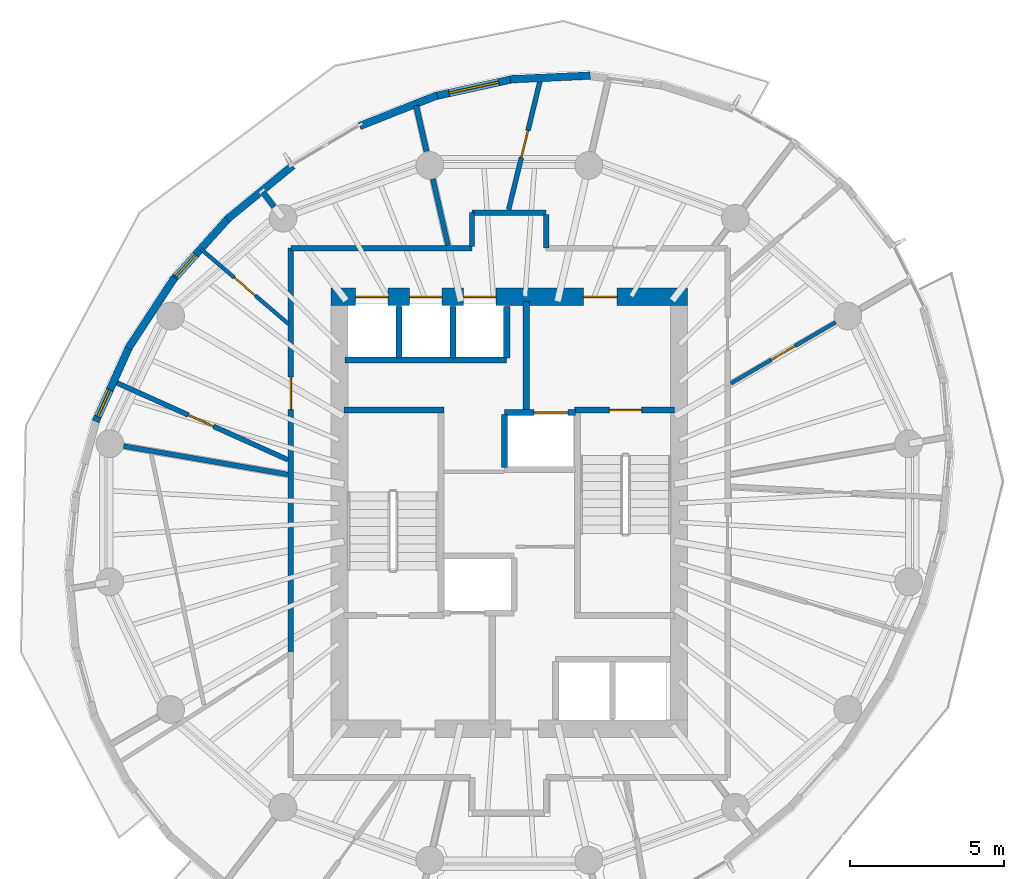
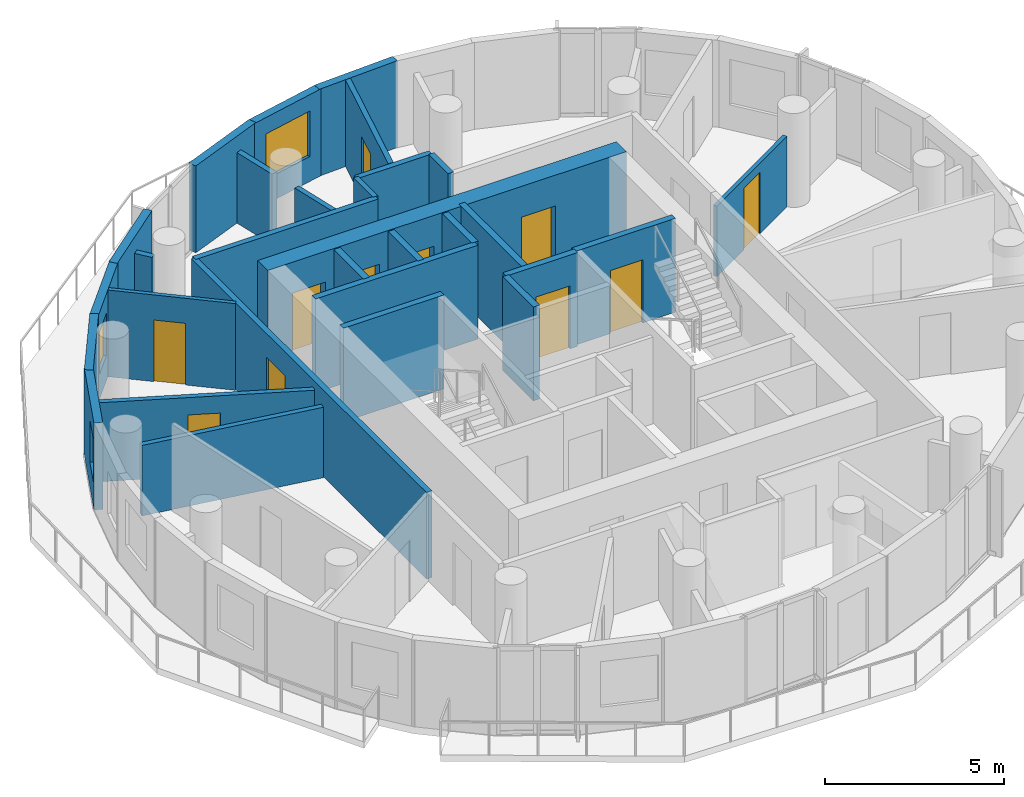
# One storey, part 6 of 10: 30 walls, 11 doors, 3 windows, 14 openings.
"""IFC4 building model written with IfcOpenShell, lengths in metres."""

from ifc_helpers import new_model, si_unit, direction, frame, frame_2d, origin, place, context, subcontext, project, spatial, rectangle, extrude, material, layer, layer_set, type_object, element, fill, save


model = new_model("IFC4")

# Units and contexts
model_context = context("Model", 3, precision=1e-05, world=origin(), true_north=direction((0.0, 1.0)))
body_context = subcontext(model_context, "Body", "Model", "MODEL_VIEW")
ifc_project = project(units=[si_unit("LENGTHUNIT", "METRE"), si_unit("AREAUNIT", "SQUARE_METRE"), si_unit("VOLUMEUNIT", "CUBIC_METRE"), si_unit("PLANEANGLEUNIT", "RADIAN"), si_unit("MASSUNIT", "GRAM", prefix="KILO")], contexts=[model_context])

# Site, building, storey
site_placement = place(None, origin())
site = spatial("IfcSite", under=ifc_project, at=site_placement, CompositionType="ELEMENT")
building_placement = place(site_placement, origin())
building = spatial("IfcBuilding", under=site, at=building_placement, Name="Veldorim Arch Residences", CompositionType="ELEMENT")
storey_placement = place(building_placement, frame((0.0, 0.0, 179.0400390625)))
storey = spatial("IfcBuildingStorey", under=building, at=storey_placement, Name="L53", CompositionType="ELEMENT", Elevation=179.0400390625)

# Wall, opening, door
ifc_material_1 = material(Name="Acoustic Gypsum Board", Category="gypsum")
ifc_layer_1 = layer(ifc_material_1, 0.125, Name="Acoustic Stud Room Partition Wall 125")
ifc_layer_set_1 = layer_set([ifc_layer_1], Name="Acoustic Gypsum Board")
wall_type_1 = type_object("IfcWallType", Name="Acoustic Stud Room Partition Wall 125", PredefinedType="PARTITIONING", material=ifc_layer_set_1)
wall_1_placement = place(storey_placement, frame((42.57958984375, 30.1748046875, 0.0), z_axis=(0.0, 0.0, 1.0), x_axis=(-0.863675291667, -0.504048599407, 0.0)))
wall_1 = element("IfcWall", 1, at=wall_1_placement, inside=storey, type_object=wall_type_1, Name="L53 interior wall WL-RES-L53-023", PredefinedType="PARTITIONING", context=body_context, shape_type="SweptSolid", body=[
    extrude(rectangle(XDim=3.93212890625, YDim=0.125, at=frame_2d((1.966064453125, 0.0))), origin(), (0.0, 0.0, 1.0), 2.4033203125),
])
opening_1_placement = place(wall_1_placement, frame((1.51611328125, 0.0, 0.0)))
opening_1 = element("IfcOpeningElement", 2, at=opening_1_placement, cuts=wall_1, Name="Opening DR-INT", PredefinedType="OPENING", context=body_context, shape_type="SweptSolid", body=[
    extrude(rectangle(XDim=0.89990234375, YDim=2.10009765625, at=frame_2d((0.449951171875, 1.050048828125))), frame((0.0, 0.072509765625, 0.0), z_axis=(0.0, -1.0, 0.0), x_axis=(1.0, 0.0, 0.0)), (0.0, 0.0, 1.0), 0.14501953125),
])
ifc_material_2 = material(Name="Engineered Timber", Category="wood")
door_type_1 = type_object("IfcDoorType", Name="Apartment Internal Room Timber Door 900x2100", OperationType="SINGLE_SWING_LEFT", PredefinedType="DOOR", material=ifc_material_2)
door_1_placement = place(opening_1_placement, origin())
door_1 = element("IfcDoor", 3, at=door_1_placement, inside=storey, type_object=door_type_1, Name="L53 interior door DR-RES-L53-008", OperationType="SINGLE_SWING_RIGHT", OverallHeight=2.10009765625, OverallWidth=0.89990234375, PredefinedType="DOOR", context=body_context, shape_type="SweptSolid", body=[
    extrude(rectangle(XDim=0.89990234375, YDim=2.10009765625, at=frame_2d((0.449951171875, 1.050048828125))), frame((0.0, 0.02490234375, 0.0), z_axis=(0.0, -1.0, 0.0), x_axis=(1.0, 0.0, 0.0)), (0.0, 0.0, 1.0), 0.050048828125),
])
fill(opening_1, door_1)

wall_2_placement = place(storey_placement, frame((22.011962890625, 32.546630859375, 0.0), z_axis=(0.0, 0.0, 1.0), x_axis=(0.759801913408, -0.650154637284, 0.0)))
wall_2 = element("IfcWall", 4, at=wall_2_placement, inside=storey, type_object=wall_type_1, Name="L53 interior wall WL-RES-L53-028", PredefinedType="PARTITIONING", context=body_context, shape_type="SweptSolid", body=[
    extrude(rectangle(XDim=3.727294921875, YDim=0.125, at=frame_2d((1.86376953125, 0.0))), origin(), (0.0, 0.0, 1.0), 2.955078125),
])
opening_2_placement = place(wall_2_placement, frame((1.413818359375, 0.0, 0.0)))
opening_2 = element("IfcOpeningElement", 5, at=opening_2_placement, cuts=wall_2, Name="Opening DR-INT", PredefinedType="OPENING", context=body_context, shape_type="SweptSolid", body=[
    extrude(rectangle(XDim=0.89990234375, YDim=2.10009765625, at=frame_2d((0.449951171875, 1.050048828125))), frame((0.0, 0.072509765625, 0.0), z_axis=(0.0, -1.0, 0.0), x_axis=(1.0, 0.0, 0.0)), (0.0, 0.0, 1.0), 0.14501953125),
])
door_2_placement = place(opening_2_placement, origin())
door_2 = element("IfcDoor", 6, at=door_2_placement, inside=storey, type_object=door_type_1, Name="L53 interior door DR-RES-L53-013", OperationType="SINGLE_SWING_LEFT", OverallHeight=2.10009765625, OverallWidth=0.89990234375, PredefinedType="DOOR", context=body_context, shape_type="SweptSolid", body=[
    extrude(rectangle(XDim=0.89990234375, YDim=2.10009765625, at=frame_2d((0.449951171875, 1.050048828125))), frame((0.0, 0.02490234375, 0.0), z_axis=(0.0, -1.0, 0.0), x_axis=(1.0, 0.0, 0.0)), (0.0, 0.0, 1.0), 0.050048828125),
])
fill(opening_2, door_2)

# Walls
ifc_material_3 = material(Name="Lightweight Masonry Block & Gypsum", Category="masonry")
ifc_layer_2 = layer(ifc_material_3, 0.179931640625, Name="Compartment & Corridor Fire-Rated Party Wall 180")
ifc_layer_set_2 = layer_set([ifc_layer_2], Name="Lightweight Masonry Block & Gypsum")
wall_type_2 = type_object("IfcWallType", Name="Compartment & Corridor Fire-Rated Party Wall 180", PredefinedType="PARTITIONING", material=ifc_layer_set_2)
wall_3_placement = place(storey_placement, frame((29.320068359375, 35.717529296875, 0.0), z_axis=(0.0, 0.0, 1.0), x_axis=(-0.222976920769, 0.974823723965, 0.0)))
element("IfcWall", 7, at=wall_3_placement, inside=storey, type_object=wall_type_2, Name="L53 interior wall WL-PIER-L53-05", PredefinedType="PARTITIONING", context=body_context, shape_type="SweptSolid", body=[
    extrude(rectangle(XDim=1.525146484375, YDim=0.179931640625, at=frame_2d((0.7626953125, 0.0))), origin(), (0.0, 0.0, 1.0), 2.4033203125),
])
wall_4_placement = place(storey_placement, frame((24.380126953125, 33.91796875, 0.0), z_axis=(0.0, 0.0, 1.0), x_axis=(-0.609062571598, 0.793122174623, 0.0)))
element("IfcWall", 8, at=wall_4_placement, inside=storey, type_object=wall_type_2, Name="L53 interior wall WL-PIER-L53-06", PredefinedType="PARTITIONING", context=body_context, shape_type="SweptSolid", body=[
    extrude(rectangle(XDim=0.600830078125, YDim=0.179931640625, at=frame_2d((0.30029296875, 0.0))), origin(), (0.0, 0.0, 1.0), 2.4033203125),
])
wall_5_placement = place(storey_placement, frame((30.800048828125, 33.72998046875, 0.0), z_axis=(0.0, 0.0, 1.0), x_axis=(1.0, 0.0, 0.0)))
element("IfcWall", 9, at=wall_5_placement, inside=storey, type_object=wall_type_2, Name="L53 interior wall WL-RES-L53-009", PredefinedType="PARTITIONING", context=body_context, shape_type="SweptSolid", body=[
    extrude(rectangle(XDim=2.39990234375, YDim=0.179931640625, at=frame_2d((1.199951171875, 0.0))), origin(), (0.0, 0.0, 1.0), 2.955078125),
])
wall_6_placement = place(storey_placement, frame((33.199951171875, 33.669921875, 0.0), z_axis=(0.0, 0.0, 1.0), x_axis=(0.0, -1.0, 0.0)))
element("IfcWall", 10, at=wall_6_placement, inside=storey, type_object=wall_type_2, Name="L53 interior wall WL-RES-L53-010", PredefinedType="PARTITIONING", context=body_context, shape_type="SweptSolid", body=[
    extrude(rectangle(XDim=1.08984375, YDim=0.179931640625, at=frame_2d((0.544921875, 0.0))), origin(), (0.0, 0.0, 1.0), 2.955078125),
])
wall_7_placement = place(storey_placement, frame((24.919921875, 32.580078125, 0.0), z_axis=(0.0, 0.0, 1.0), x_axis=(1.0, 0.0, 0.0)))
element("IfcWall", 11, at=wall_7_placement, inside=storey, type_object=wall_type_2, Name="L53 interior wall WL-RES-L53-011", PredefinedType="PARTITIONING", context=body_context, shape_type="SweptSolid", body=[
    extrude(rectangle(XDim=5.880126953125, YDim=0.179931640625, at=frame_2d((2.93994140625, 0.0))), origin(), (0.0, 0.0, 1.0), 2.955078125),
])

# Wall, opening, door
wall_8_placement = place(storey_placement, frame((24.919921875, 19.44921875, 0.0), z_axis=(0.0, 0.0, 1.0), x_axis=(0.0, 1.0, 0.0)))
wall_8 = element("IfcWall", 12, at=wall_8_placement, inside=storey, type_object=wall_type_2, Name="L53 interior wall WL-RES-L53-013", PredefinedType="PARTITIONING", context=body_context, shape_type="SweptSolid", body=[
    extrude(rectangle(XDim=13.130859375, YDim=0.179931640625, at=frame_2d((6.5654296875, 0.0))), origin(), (0.0, 0.0, 1.0), 2.955078125),
])
opening_3_placement = place(wall_8_placement, frame((7.896728515625, 0.0, 0.0)))
opening_3 = element("IfcOpeningElement", 13, at=opening_3_placement, cuts=wall_8, Name="Opening DR-FLT", PredefinedType="OPENING", context=body_context, shape_type="SweptSolid", body=[
    extrude(rectangle(XDim=1.050048828125, YDim=2.14990234375, at=frame_2d((0.52490234375, 1.074951171875))), frame((0.0, 0.099853515625, 0.0), z_axis=(0.0, -1.0, 0.0), x_axis=(1.0, 0.0, 0.0)), (0.0, 0.0, 1.0), 0.199951171875),
])
ifc_material_4 = material(Name="Fire-Rated Timber", Category="wood")
door_type_2 = type_object("IfcDoorType", Name="Apartment Entrance Solid-Core Fire Door 1050x2150", OperationType="SINGLE_SWING_LEFT", PredefinedType="DOOR", material=ifc_material_4)
door_3_placement = place(opening_3_placement, origin())
door_3 = element("IfcDoor", 14, at=door_3_placement, inside=storey, type_object=door_type_2, Name="L53 interior door DR-RES-L53-011", OperationType="SINGLE_SWING_LEFT", OverallHeight=2.14990234375, OverallWidth=1.050048828125, PredefinedType="DOOR", context=body_context, shape_type="SweptSolid", body=[
    extrude(rectangle(XDim=1.050048828125, YDim=2.14990234375, at=frame_2d((0.52490234375, 1.074951171875))), frame((0.0, 0.02490234375, 0.0), z_axis=(0.0, -1.0, 0.0), x_axis=(1.0, 0.0, 0.0)), (0.0, 0.0, 1.0), 0.050048828125),
])
fill(opening_3, door_3)

# Wall
ifc_material_5 = material(Name="Concrete C50/60", Category="concrete")
ifc_layer_3 = layer(ifc_material_5, 0.199951171875, Name="Core Stair & Lift Shaft Enclosure Wall 200")
ifc_layer_set_3 = layer_set([ifc_layer_3], Name="Concrete C50/60")
wall_type_3 = type_object("IfcWallType", Name="Core Stair & Lift Shaft Enclosure Wall 200", PredefinedType="SHEAR", material=ifc_layer_set_3)
wall_9_placement = place(storey_placement, frame((26.64990234375, 27.330078125, 0.0), z_axis=(0.0, 0.0, 1.0), x_axis=(1.0, 0.0, 0.0)))
element("IfcWall", 15, at=wall_9_placement, inside=storey, type_object=wall_type_3, Name="L53 shaft wall WL-SHF-L53-ST1-N", PredefinedType="SHEAR", context=body_context, shape_type="SweptSolid", body=[
    extrude(rectangle(XDim=3.239990234375, YDim=0.199951171875, at=frame_2d((1.6201171875, 0.0))), origin(), (0.0, 0.0, 1.0), 3.199951171875),
])

# Wall, opening, door
wall_10_placement = place(storey_placement, frame((34.110107421875, 27.330078125, 0.0), z_axis=(0.0, 0.0, 1.0), x_axis=(1.0, 0.0, 0.0)))
wall_10 = element("IfcWall", 16, at=wall_10_placement, inside=storey, type_object=wall_type_3, Name="L53 shaft wall WL-SHF-L53-ST2-N", PredefinedType="SHEAR", context=body_context, shape_type="SweptSolid", body=[
    extrude(rectangle(XDim=3.239990234375, YDim=0.199951171875, at=frame_2d((1.6201171875, 0.0))), origin(), (0.0, 0.0, 1.0), 3.199951171875),
])
opening_4_placement = place(wall_10_placement, frame((1.135009765625, 0.0, 0.0)))
opening_4 = element("IfcOpeningElement", 17, at=opening_4_placement, cuts=wall_10, Name="Opening DR-ST", PredefinedType="OPENING", context=body_context, shape_type="SweptSolid", body=[
    extrude(rectangle(XDim=1.050048828125, YDim=2.14990234375, at=frame_2d((0.52490234375, 1.074951171875))), frame((0.0, 0.10986328125, 0.0), z_axis=(0.0, -1.0, 0.0), x_axis=(1.0, 0.0, 0.0)), (0.0, 0.0, 1.0), 0.219970703125),
])
ifc_material_6 = material(Name="Fire-Rated Steel", Category="steel")
door_type_3 = type_object("IfcDoorType", Name="Exit Staircase Self-Closing Fire Door 1050x2150", OperationType="SINGLE_SWING_LEFT", PredefinedType="DOOR", material=ifc_material_6)
door_4_placement = place(opening_4_placement, origin())
door_4 = element("IfcDoor", 18, at=door_4_placement, inside=storey, type_object=door_type_3, Name="L53 interior door DR-L53-ST2", OperationType="SINGLE_SWING_RIGHT", OverallHeight=2.14990234375, OverallWidth=1.050048828125, PredefinedType="DOOR", context=body_context, shape_type="SweptSolid", body=[
    extrude(rectangle(XDim=1.050048828125, YDim=2.14990234375, at=frame_2d((0.52490234375, 1.074951171875))), frame((0.0, 0.02490234375, 0.0), z_axis=(0.0, -1.0, 0.0), x_axis=(1.0, 0.0, 0.0)), (0.0, 0.0, 1.0), 0.050048828125),
])
fill(opening_4, door_4)

# Wall
wall_11_placement = place(storey_placement, frame((32.550048828125, 27.35009765625, 0.0), z_axis=(0.0, 0.0, 1.0), x_axis=(0.0, 1.0, 0.0)))
element("IfcWall", 19, at=wall_11_placement, inside=storey, type_object=wall_type_3, Name="L53 shaft wall WL-FFL2-L53-W", PredefinedType="SHEAR", context=body_context, shape_type="SweptSolid", body=[
    extrude(rectangle(XDim=3.5, YDim=0.199951171875, at=frame_2d((1.75, 0.0))), origin(), (0.0, 0.0, 1.0), 3.199951171875),
])

# Wall, opening, door
wall_12_placement = place(storey_placement, frame((31.85009765625, 27.25, 0.0), z_axis=(0.0, 0.0, 1.0), x_axis=(1.0, 0.0, 0.0)))
wall_12 = element("IfcWall", 20, at=wall_12_placement, inside=storey, type_object=wall_type_3, Name="L53 shaft wall WL-FL02-L53-N", PredefinedType="SHEAR", context=body_context, shape_type="SweptSolid", body=[
    extrude(rectangle(XDim=2.2998046875, YDim=0.199951171875, at=frame_2d((1.14990234375, 0.0))), origin(), (0.0, 0.0, 1.0), 3.199951171875),
])
opening_5_placement = place(wall_12_placement, frame((0.949951171875, 0.0, 0.0)))
opening_5 = element("IfcOpeningElement", 21, at=opening_5_placement, cuts=wall_12, Name="Opening LD-FF", PredefinedType="OPENING", context=body_context, shape_type="SweptSolid", body=[
    extrude(rectangle(XDim=1.10009765625, YDim=2.14990234375, at=frame_2d((0.550048828125, 1.074951171875))), frame((0.0, 0.10986328125, 0.0), z_axis=(0.0, -1.0, 0.0), x_axis=(1.0, 0.0, 0.0)), (0.0, 0.0, 1.0), 0.219970703125),
])
ifc_material_7 = material(Name="Stainless Steel", Category="steel")
door_type_4 = type_object("IfcDoorType", Name="Firefighting Lift Bi-Parting Sliding Landing Door 1100x2150", OperationType="DOUBLE_DOOR_SLIDING", PredefinedType="DOOR", material=ifc_material_7)
door_5_placement = place(opening_5_placement, origin())
door_5 = element("IfcDoor", 22, at=door_5_placement, inside=storey, type_object=door_type_4, Name="L53 lift landing door LD-L53-FL02", OperationType="DOUBLE_DOOR_SLIDING", OverallHeight=2.14990234375, OverallWidth=1.10009765625, PredefinedType="DOOR", context=body_context, shape_type="SweptSolid", body=[
    extrude(rectangle(XDim=1.10009765625, YDim=2.14990234375, at=frame_2d((0.550048828125, 1.074951171875))), frame((0.0, 0.02490234375, 0.0), z_axis=(0.0, -1.0, 0.0), x_axis=(1.0, 0.0, 0.0)), (0.0, 0.0, 1.0), 0.050048828125),
])
fill(opening_5, door_5)

# Walls
wall_13_placement = place(storey_placement, frame((31.85009765625, 25.469970703125, 0.0), z_axis=(0.0, 0.0, 1.0), x_axis=(0.0, 1.0, 0.0)))
element("IfcWall", 23, at=wall_13_placement, inside=storey, type_object=wall_type_3, Name="L53 shaft wall WL-FL02-L53-W", PredefinedType="SHEAR", context=body_context, shape_type="SweptSolid", body=[
    extrude(rectangle(XDim=1.7099609375, YDim=0.199951171875, at=frame_2d((0.85498046875, 0.0))), origin(), (0.0, 0.0, 1.0), 3.199951171875),
])
wall_14_placement = place(storey_placement, frame((26.679931640625, 28.949951171875, 0.0), z_axis=(0.0, 0.0, 1.0), x_axis=(1.0, 0.0, 0.0)))
element("IfcWall", 24, at=wall_14_placement, inside=storey, type_object=wall_type_3, Name="L53 shaft wall WL-B3-L53-S", PredefinedType="SHEAR", context=body_context, shape_type="SweptSolid", body=[
    extrude(rectangle(XDim=5.239990234375, YDim=0.199951171875, at=frame_2d((2.6201171875, 0.0))), origin(), (0.0, 0.0, 1.0), 3.199951171875),
])
for number, where, z_axis, x_axis, name in (
    (25, (31.919921875, 29.02001953125, 0.0), (0.0, 0.0, 1.0), (0.0, 1.0, 0.0), "L53 shaft wall WL-B3-L53-E"),
    (26, (28.425048828125, 29.02001953125, 0.0), (0.0, 0.0, 1.0), (0.0, 1.0, 0.0), "L53 shaft wall WL-B3-L53-D1"),
    (27, (30.175048828125, 29.02001953125, 0.0), (0.0, 0.0, 1.0), (0.0, 1.0, 0.0), "L53 shaft wall WL-B3-L53-D2"),
):
    element("IfcWall", number, at=place(storey_placement, frame(where, z_axis=z_axis, x_axis=x_axis)), inside=storey, type_object=wall_type_3, Name=name, PredefinedType="SHEAR", context=body_context, shape_type="SweptSolid", body=[
        extrude(rectangle(XDim=1.659912109375, YDim=0.199951171875, at=frame_2d((0.830078125, 0.0))), origin(), (0.0, 0.0, 1.0), 3.199951171875),
    ])
ifc_material_8 = material(Name="Precast concrete C40/50", Category="concrete")
ifc_layer_4 = layer(ifc_material_8, 0.25, Name="Tower Terracotta Spandrel & Pier Wall 250")
ifc_layer_set_4 = layer_set([ifc_layer_4], Name="Precast concrete C40/50")
wall_type_4 = type_object("IfcWallType", Name="Tower Terracotta Spandrel & Pier Wall 250", PredefinedType="SOLIDWALL", material=ifc_layer_set_4)
wall_15_placement = place(storey_placement, frame((32.03564453125, 38.053466796875, 0.0), z_axis=(0.0, 0.0, 1.0), x_axis=(0.998912652492, 0.046620946915, 0.0)))
element("IfcWall", 28, at=wall_15_placement, inside=storey, type_object=wall_type_4, Name="L53 terracotta facade wall 05", PredefinedType="SOLIDWALL", context=body_context, shape_type="SweptSolid", body=[
    extrude(rectangle(XDim=2.59228515625, YDim=0.25, at=frame_2d((1.296142578125, 0.0))), origin(), (0.0, 0.0, 1.0), 2.9599609375),
])

# Wall, opening, window
wall_16_placement = place(storey_placement, frame((29.555908203125, 37.501220703125, 0.0), z_axis=(0.0, 0.0, 1.0), x_axis=(0.976886196324, 0.213760051067, 0.0)))
wall_16 = element("IfcWall", 29, at=wall_16_placement, inside=storey, type_object=wall_type_4, Name="L53 terracotta facade wall 06", PredefinedType="SOLIDWALL", context=body_context, shape_type="SweptSolid", body=[
    extrude(rectangle(XDim=2.65087890625, YDim=0.25, at=frame_2d((1.325439453125, 0.0))), origin(), (0.0, 0.0, 1.0), 2.9599609375),
])
opening_6_placement = place(wall_16_placement, frame((0.5009765625, 0.0, 0.85009765625)))
opening_6 = element("IfcOpeningElement", 30, at=opening_6_placement, cuts=wall_16, Name="Opening WN-03", PredefinedType="OPENING", context=body_context, shape_type="SweptSolid", body=[
    extrude(rectangle(XDim=1.64990234375, YDim=1.550048828125, at=frame_2d((0.824951171875, 0.77490234375))), frame((0.0, 0.135009765625, 0.0), z_axis=(0.0, -1.0, 0.0), x_axis=(1.0, 0.0, 0.0)), (0.0, 0.0, 1.0), 0.27001953125),
])
ifc_material_9 = material(Name="Laminated Low-E Glass", Category="glass")
window_type_1 = type_object("IfcWindowType", Name="Residential Wide Window 1650x1550", PartitioningType="SINGLE_PANEL", PredefinedType="WINDOW", material=ifc_material_9)
window_1_placement = place(opening_6_placement, origin())
window_1 = element("IfcWindow", 31, at=window_1_placement, inside=storey, type_object=window_type_1, Name="L53 solar-control facade window 06", OverallHeight=1.550048828125, OverallWidth=1.64990234375, PartitioningType="SINGLE_PANEL", PredefinedType="WINDOW", context=body_context, shape_type="SweptSolid", body=[
    extrude(rectangle(XDim=1.64990234375, YDim=1.550048828125, at=frame_2d((0.824951171875, 0.77490234375))), frame((0.0, 0.030029296875, 0.0), z_axis=(0.0, -1.0, 0.0), x_axis=(1.0, 0.0, 0.0)), (0.0, 0.0, 1.0), 0.06005859375),
])
fill(opening_6, window_1)

# Walls
wall_17_placement = place(storey_placement, frame((27.149169921875, 36.5380859375, 0.0), z_axis=(0.0, 0.0, 1.0), x_axis=(0.929693178164, 0.368334894459, 0.0)))
element("IfcWall", 32, at=wall_17_placement, inside=storey, type_object=wall_type_4, Name="L53 terracotta facade wall 07", PredefinedType="SOLIDWALL", context=body_context, shape_type="SweptSolid", body=[
    extrude(rectangle(XDim=2.70166015625, YDim=0.25, at=frame_2d((1.350830078125, 0.0))), origin(), (0.0, 0.0, 1.0), 2.9599609375),
])
wall_18_placement = place(storey_placement, frame((22.84521484375, 33.5078125, 0.0), z_axis=(0.0, 0.0, 1.0), x_axis=(0.773491700486, 0.633806428872, 0.0)))
element("IfcWall", 33, at=wall_18_placement, inside=storey, type_object=wall_type_4, Name="L53 terracotta facade wall 09", PredefinedType="SOLIDWALL", context=body_context, shape_type="SweptSolid", body=[
    extrude(rectangle(XDim=2.758056640625, YDim=0.25, at=frame_2d((1.37890625, 0.0))), origin(), (0.0, 0.0, 1.0), 2.9599609375),
])

# Wall, opening, window
wall_19_placement = place(storey_placement, frame((21.079345703125, 31.532470703125, 0.0), z_axis=(0.0, 0.0, 1.0), x_axis=(0.668764193685, 0.743474581438, 0.0)))
wall_19 = element("IfcWall", 34, at=wall_19_placement, inside=storey, type_object=wall_type_4, Name="L53 terracotta facade wall 10", PredefinedType="SOLIDWALL", context=body_context, shape_type="SweptSolid", body=[
    extrude(rectangle(XDim=2.758056640625, YDim=0.25, at=frame_2d((1.37890625, 0.0))), origin(), (0.0, 0.0, 1.0), 2.9599609375),
])
opening_7_placement = place(wall_19_placement, frame((0.175048828125, 0.0, 0.85009765625)))
opening_7 = element("IfcOpeningElement", 35, at=opening_7_placement, cuts=wall_19, Name="Opening WN-05", PredefinedType="OPENING", context=body_context, shape_type="SweptSolid", body=[
    extrude(rectangle(XDim=0.949951171875, YDim=1.449951171875, at=frame_2d((0.47509765625, 0.72509765625))), frame((0.0, 0.135009765625, 0.0), z_axis=(0.0, -1.0, 0.0), x_axis=(1.0, 0.0, 0.0)), (0.0, 0.0, 1.0), 0.27001953125),
])
ifc_material_10 = material(Name="Laminated Low-E Glass", Category="glass")
window_type_2 = type_object("IfcWindowType", Name="Residential Compact Casement Window 950x1450", PartitioningType="SINGLE_PANEL", PredefinedType="WINDOW", material=ifc_material_10)
window_2_placement = place(opening_7_placement, origin())
window_2 = element("IfcWindow", 36, at=window_2_placement, inside=storey, type_object=window_type_2, Name="L53 solar-control facade window 10", OverallHeight=1.449951171875, OverallWidth=0.949951171875, PartitioningType="SINGLE_PANEL", PredefinedType="WINDOW", context=body_context, shape_type="SweptSolid", body=[
    extrude(rectangle(XDim=0.949951171875, YDim=1.449951171875, at=frame_2d((0.47509765625, 0.72509765625))), frame((0.0, 0.030029296875, 0.0), z_axis=(0.0, -1.0, 0.0), x_axis=(1.0, 0.0, 0.0)), (0.0, 0.0, 1.0), 0.06005859375),
])
fill(opening_7, window_2)

# Wall
wall_20_placement = place(storey_placement, frame((19.64599609375, 29.327392578125, 0.0), z_axis=(0.0, 0.0, 1.0), x_axis=(0.547664848596, 0.83669780304, 0.0)))
element("IfcWall", 37, at=wall_20_placement, inside=storey, type_object=wall_type_4, Name="L53 terracotta facade wall 11", PredefinedType="SOLIDWALL", context=body_context, shape_type="SweptSolid", body=[
    extrude(rectangle(XDim=2.738525390625, YDim=0.25, at=frame_2d((1.369140625, 0.0))), origin(), (0.0, 0.0, 1.0), 2.9599609375),
])

# Wall, opening, window
wall_21_placement = place(storey_placement, frame((18.589111328125, 26.9599609375, 0.0), z_axis=(0.0, 0.0, 1.0), x_axis=(0.410736648959, 0.911754026699, 0.0)))
wall_21 = element("IfcWall", 38, at=wall_21_placement, inside=storey, type_object=wall_type_4, Name="L53 terracotta facade wall 12", PredefinedType="SOLIDWALL", context=body_context, shape_type="SweptSolid", body=[
    extrude(rectangle(XDim=2.701416015625, YDim=0.25, at=frame_2d((1.3505859375, 0.0))), origin(), (0.0, 0.0, 1.0), 2.9599609375),
])
opening_8_placement = place(wall_21_placement, frame((0.175048828125, 0.0, 0.85009765625)))
opening_8 = element("IfcOpeningElement", 39, at=opening_8_placement, cuts=wall_21, Name="Opening WN-05", PredefinedType="OPENING", context=body_context, shape_type="SweptSolid", body=[
    extrude(rectangle(XDim=0.949951171875, YDim=1.449951171875, at=frame_2d((0.47509765625, 0.72509765625))), frame((0.0, 0.135009765625, 0.0), z_axis=(0.0, -1.0, 0.0), x_axis=(1.0, 0.0, 0.0)), (0.0, 0.0, 1.0), 0.27001953125),
])
window_3_placement = place(opening_8_placement, origin())
window_3 = element("IfcWindow", 40, at=window_3_placement, inside=storey, type_object=window_type_2, Name="L53 solar-control facade window 12", OverallHeight=1.449951171875, OverallWidth=0.949951171875, PartitioningType="SINGLE_PANEL", PredefinedType="WINDOW", context=body_context, shape_type="SweptSolid", body=[
    extrude(rectangle(XDim=0.949951171875, YDim=1.449951171875, at=frame_2d((0.47509765625, 0.72509765625))), frame((0.0, 0.030029296875, 0.0), z_axis=(0.0, -1.0, 0.0), x_axis=(1.0, 0.0, 0.0)), (0.0, 0.0, 1.0), 0.06005859375),
])
fill(opening_8, window_3)

# Wall, openings, doors
ifc_material_11 = material(Name="Concrete C50/60", Category="concrete")
ifc_layer_5 = layer(ifc_material_11, 0.5, Name="Upper Central Core Shear Wall 560")
ifc_layer_set_5 = layer_set([ifc_layer_5], Name="Concrete C50/60")
wall_type_5 = type_object("IfcWallType", Name="Upper Central Core Shear Wall 560", PredefinedType="SHEAR", material=ifc_layer_set_5)
wall_22_placement = place(storey_placement, frame((26.219970703125, 31.0, 0.0), z_axis=(0.0, 0.0, 1.0), x_axis=(1.0, 0.0, 0.0)))
wall_22 = element("IfcWall", 41, at=wall_22_placement, inside=storey, type_object=wall_type_5, Name="L53 central core north shear wall", PredefinedType="SHEAR", context=body_context, shape_type="SweptSolid", body=[
    extrude(rectangle(XDim=11.56005859375, YDim=0.56005859375, at=frame_2d((5.780029296875, 0.0))), origin(), (0.0, 0.0, 1.0), 3.199951171875),
])
opening_9_placement = place(wall_22_placement, frame((8.179931640625, 0.0, 0.0)))
opening_9 = element("IfcOpeningElement", 42, at=opening_9_placement, cuts=wall_22, Name="Opening DR-FFL", PredefinedType="OPENING", context=body_context, shape_type="SweptSolid", body=[
    extrude(rectangle(XDim=1.10009765625, YDim=2.14990234375, at=frame_2d((0.550048828125, 1.074951171875))), frame((0.0, 0.2900390625, 0.0), z_axis=(0.0, -1.0, 0.0), x_axis=(1.0, 0.0, 0.0)), (0.0, 0.0, 1.0), 0.580078125),
])
opening_10_placement = place(wall_22_placement, frame((0.804931640625, 0.0, 0.0)))
opening_10 = element("IfcOpeningElement", 43, at=opening_10_placement, cuts=wall_22, Name="Opening LD-PS", PredefinedType="OPENING", context=body_context, shape_type="SweptSolid", body=[
    extrude(rectangle(XDim=1.050048828125, YDim=2.14990234375, at=frame_2d((0.52490234375, 1.074951171875))), frame((0.0, 0.2900390625, 0.0), z_axis=(0.0, -1.0, 0.0), x_axis=(1.0, 0.0, 0.0)), (0.0, 0.0, 1.0), 0.580078125),
])
opening_11_placement = place(wall_22_placement, frame((2.554931640625, 0.0, 0.0)))
opening_11 = element("IfcOpeningElement", 44, at=opening_11_placement, cuts=wall_22, Name="Opening LD-PS", PredefinedType="OPENING", context=body_context, shape_type="SweptSolid", body=[
    extrude(rectangle(XDim=1.050048828125, YDim=2.14990234375, at=frame_2d((0.52490234375, 1.074951171875))), frame((0.0, 0.2900390625, 0.0), z_axis=(0.0, -1.0, 0.0), x_axis=(1.0, 0.0, 0.0)), (0.0, 0.0, 1.0), 0.580078125),
])
opening_12_placement = place(wall_22_placement, frame((4.304931640625, 0.0, 0.0)))
opening_12 = element("IfcOpeningElement", 45, at=opening_12_placement, cuts=wall_22, Name="Opening LD-PS", PredefinedType="OPENING", context=body_context, shape_type="SweptSolid", body=[
    extrude(rectangle(XDim=1.050048828125, YDim=2.14990234375, at=frame_2d((0.52490234375, 1.074951171875))), frame((0.0, 0.2900390625, 0.0), z_axis=(0.0, -1.0, 0.0), x_axis=(1.0, 0.0, 0.0)), (0.0, 0.0, 1.0), 0.580078125),
])
ifc_material_12 = material(Name="Fire-Rated Steel & Vision Glass", Category="steel")
door_type_5 = type_object("IfcDoorType", Name="Firefighting Lobby Smoke-Stop Fire Door 1100x2150", OperationType="SINGLE_SWING_LEFT", PredefinedType="DOOR", material=ifc_material_12)
door_6_placement = place(opening_9_placement, origin())
door_6 = element("IfcDoor", 46, at=door_6_placement, inside=storey, type_object=door_type_5, Name="L53 interior door DR-L53-FFL2", OperationType="SINGLE_SWING_LEFT", OverallHeight=2.14990234375, OverallWidth=1.10009765625, PredefinedType="DOOR", context=body_context, shape_type="SweptSolid", body=[
    extrude(rectangle(XDim=1.10009765625, YDim=2.14990234375, at=frame_2d((0.550048828125, 1.074951171875))), frame((0.0, 0.02490234375, 0.0), z_axis=(0.0, -1.0, 0.0), x_axis=(1.0, 0.0, 0.0)), (0.0, 0.0, 1.0), 0.050048828125),
])
fill(opening_9, door_6)
ifc_material_13 = material(Name="Stainless Steel", Category="steel")
door_type_6 = type_object("IfcDoorType", Name="Passenger Lift Bi-Parting Sliding Landing Door 1050x2150", OperationType="DOUBLE_DOOR_SLIDING", PredefinedType="DOOR", material=ifc_material_13)
door_7_placement = place(opening_10_placement, origin())
door_7 = element("IfcDoor", 47, at=door_7_placement, inside=storey, type_object=door_type_6, Name="L53 lift landing door LD-L53-PL-08", OperationType="DOUBLE_DOOR_SLIDING", OverallHeight=2.14990234375, OverallWidth=1.050048828125, PredefinedType="DOOR", context=body_context, shape_type="SweptSolid", body=[
    extrude(rectangle(XDim=1.050048828125, YDim=2.14990234375, at=frame_2d((0.52490234375, 1.074951171875))), frame((0.0, 0.02490234375, 0.0), z_axis=(0.0, -1.0, 0.0), x_axis=(1.0, 0.0, 0.0)), (0.0, 0.0, 1.0), 0.050048828125),
])
fill(opening_10, door_7)
door_8_placement = place(opening_11_placement, origin())
door_8 = element("IfcDoor", 48, at=door_8_placement, inside=storey, type_object=door_type_6, Name="L53 lift landing door LD-L53-PL-09", OperationType="DOUBLE_DOOR_SLIDING", OverallHeight=2.14990234375, OverallWidth=1.050048828125, PredefinedType="DOOR", context=body_context, shape_type="SweptSolid", body=[
    extrude(rectangle(XDim=1.050048828125, YDim=2.14990234375, at=frame_2d((0.52490234375, 1.074951171875))), frame((0.0, 0.02490234375, 0.0), z_axis=(0.0, -1.0, 0.0), x_axis=(1.0, 0.0, 0.0)), (0.0, 0.0, 1.0), 0.050048828125),
])
fill(opening_11, door_8)
door_9_placement = place(opening_12_placement, origin())
door_9 = element("IfcDoor", 49, at=door_9_placement, inside=storey, type_object=door_type_6, Name="L53 lift landing door LD-L53-PL-10", OperationType="DOUBLE_DOOR_SLIDING", OverallHeight=2.14990234375, OverallWidth=1.050048828125, PredefinedType="DOOR", context=body_context, shape_type="SweptSolid", body=[
    extrude(rectangle(XDim=1.050048828125, YDim=2.14990234375, at=frame_2d((0.52490234375, 1.074951171875))), frame((0.0, 0.02490234375, 0.0), z_axis=(0.0, -1.0, 0.0), x_axis=(1.0, 0.0, 0.0)), (0.0, 0.0, 1.0), 0.050048828125),
])
fill(opening_12, door_9)

# Wall
ifc_material_14 = material(Name="Moisture-Resistant Gypsum & Stud", Category="gypsum")
ifc_layer_6 = layer(ifc_material_14, 0.159912109375, Name="Wet-Area Moisture-Resistant Plumbing Wall 160")
ifc_layer_set_6 = layer_set([ifc_layer_6], Name="Moisture-Resistant Gypsum & Stud")
wall_type_6 = type_object("IfcWallType", Name="Wet-Area Moisture-Resistant Plumbing Wall 160", PredefinedType="PLUMBINGWALL", material=ifc_layer_set_6)
wall_23_placement = place(storey_placement, frame((30.800048828125, 32.639892578125, 0.0), z_axis=(0.0, 0.0, 1.0), x_axis=(0.0, 1.0, 0.0)))
element("IfcWall", 50, at=wall_23_placement, inside=storey, type_object=wall_type_6, Name="L53 interior wall WL-RES-L53-012", PredefinedType="PLUMBINGWALL", context=body_context, shape_type="SweptSolid", body=[
    extrude(rectangle(XDim=1.090087890625, YDim=0.159912109375, at=frame_2d((0.544921875, 0.0))), origin(), (0.0, 0.0, 1.0), 2.955078125),
])

# Wall, opening, door
wall_24_placement = place(storey_placement, frame((31.981201171875, 33.8271484375, 0.0), z_axis=(0.0, 0.0, 1.0), x_axis=(0.237157525666, 0.971471208024, 0.0)))
wall_24 = element("IfcWall", 51, at=wall_24_placement, inside=storey, type_object=wall_type_6, Name="L53 interior wall WL-RES-L53-025", PredefinedType="PLUMBINGWALL", context=body_context, shape_type="SweptSolid", body=[
    extrude(rectangle(XDim=4.38232421875, YDim=0.159912109375, at=frame_2d((2.191162109375, 0.0))), origin(), (0.0, 0.0, 1.0), 2.955078125),
])
opening_13_placement = place(wall_24_placement, frame((1.7412109375, 0.0, 0.0)))
opening_13 = element("IfcOpeningElement", 52, at=opening_13_placement, cuts=wall_24, Name="Opening DR-WC", PredefinedType="OPENING", context=body_context, shape_type="SweptSolid", body=[
    extrude(rectangle(XDim=0.89990234375, YDim=2.10009765625, at=frame_2d((0.449951171875, 1.050048828125))), frame((0.0, 0.08984375, 0.0), z_axis=(0.0, -1.0, 0.0), x_axis=(1.0, 0.0, 0.0)), (0.0, 0.0, 1.0), 0.179931640625),
])
ifc_material_15 = material(Name="Laminate Timber", Category="wood")
door_type_7 = type_object("IfcDoorType", Name="Bathroom & Accessible WC Moisture-Sealed Door 900x2100", OperationType="SINGLE_SWING_LEFT", PredefinedType="DOOR", material=ifc_material_15)
door_10_placement = place(opening_13_placement, origin())
door_10 = element("IfcDoor", 53, at=door_10_placement, inside=storey, type_object=door_type_7, Name="L53 interior door DR-RES-L53-010", OperationType="SINGLE_SWING_RIGHT", OverallHeight=2.10009765625, OverallWidth=0.89990234375, PredefinedType="DOOR", context=body_context, shape_type="SweptSolid", body=[
    extrude(rectangle(XDim=0.89990234375, YDim=2.10009765625, at=frame_2d((0.449951171875, 1.050048828125))), frame((0.0, 0.02490234375, 0.0), z_axis=(0.0, -1.0, 0.0), x_axis=(1.0, 0.0, 0.0)), (0.0, 0.0, 1.0), 0.050048828125),
])
fill(opening_13, door_10)

# Wall
wall_25_placement = place(storey_placement, frame((30.015380859375, 32.677490234375, 0.0), z_axis=(0.0, 0.0, 1.0), x_axis=(-0.222969522248, 0.974825416241, 0.0)))
element("IfcWall", 54, at=wall_25_placement, inside=storey, type_object=wall_type_6, Name="L53 interior wall WL-RES-L53-026", PredefinedType="PLUMBINGWALL", context=body_context, shape_type="SweptSolid", body=[
    extrude(rectangle(XDim=2.19873046875, YDim=0.159912109375, at=frame_2d((1.099365234375, 0.0))), origin(), (0.0, 0.0, 1.0), 2.4033203125),
])

# Wall, opening, door
wall_26_placement = place(storey_placement, frame((24.828857421875, 25.71826171875, 0.0), z_axis=(0.0, 0.0, 1.0), x_axis=(-0.912008646932, 0.410170974012, 0.0)))
wall_26 = element("IfcWall", 55, at=wall_26_placement, inside=storey, type_object=wall_type_6, Name="L53 interior wall WL-RES-L53-027", PredefinedType="PLUMBINGWALL", context=body_context, shape_type="SweptSolid", body=[
    extrude(rectangle(XDim=6.184326171875, YDim=0.159912109375, at=frame_2d((3.09228515625, 0.0))), origin(), (0.0, 0.0, 1.0), 2.69189453125),
])
opening_14_placement = place(wall_26_placement, frame((2.64208984375, 0.0, 0.0)))
opening_14 = element("IfcOpeningElement", 56, at=opening_14_placement, cuts=wall_26, Name="Opening DR-WC", PredefinedType="OPENING", context=body_context, shape_type="SweptSolid", body=[
    extrude(rectangle(XDim=0.89990234375, YDim=2.10009765625, at=frame_2d((0.449951171875, 1.050048828125))), frame((0.0, 0.08984375, 0.0), z_axis=(0.0, -1.0, 0.0), x_axis=(1.0, 0.0, 0.0)), (0.0, 0.0, 1.0), 0.179931640625),
])
door_11_placement = place(opening_14_placement, origin())
door_11 = element("IfcDoor", 57, at=door_11_placement, inside=storey, type_object=door_type_7, Name="L53 interior door DR-RES-L53-012", OperationType="SINGLE_SWING_RIGHT", OverallHeight=2.10009765625, OverallWidth=0.89990234375, PredefinedType="DOOR", context=body_context, shape_type="SweptSolid", body=[
    extrude(rectangle(XDim=0.89990234375, YDim=2.10009765625, at=frame_2d((0.449951171875, 1.050048828125))), frame((0.0, 0.02490234375, 0.0), z_axis=(0.0, -1.0, 0.0), x_axis=(1.0, 0.0, 0.0)), (0.0, 0.0, 1.0), 0.050048828125),
])
fill(opening_14, door_11)

# Wall
wall_27_placement = place(storey_placement, frame((24.821533203125, 25.24169921875, 0.0), z_axis=(0.0, 0.0, 1.0), x_axis=(-0.985362047777, 0.170474733611, 0.0)))
element("IfcWall", 58, at=wall_27_placement, inside=storey, type_object=wall_type_6, Name="L53 interior wall WL-RES-L53-029", PredefinedType="PLUMBINGWALL", context=body_context, shape_type="SweptSolid", body=[
    extrude(rectangle(XDim=5.399169921875, YDim=0.159912109375, at=frame_2d((2.69970703125, 0.0))), origin(), (0.0, 0.0, 1.0), 2.4033203125),
])

save(model, "model.ifc")
